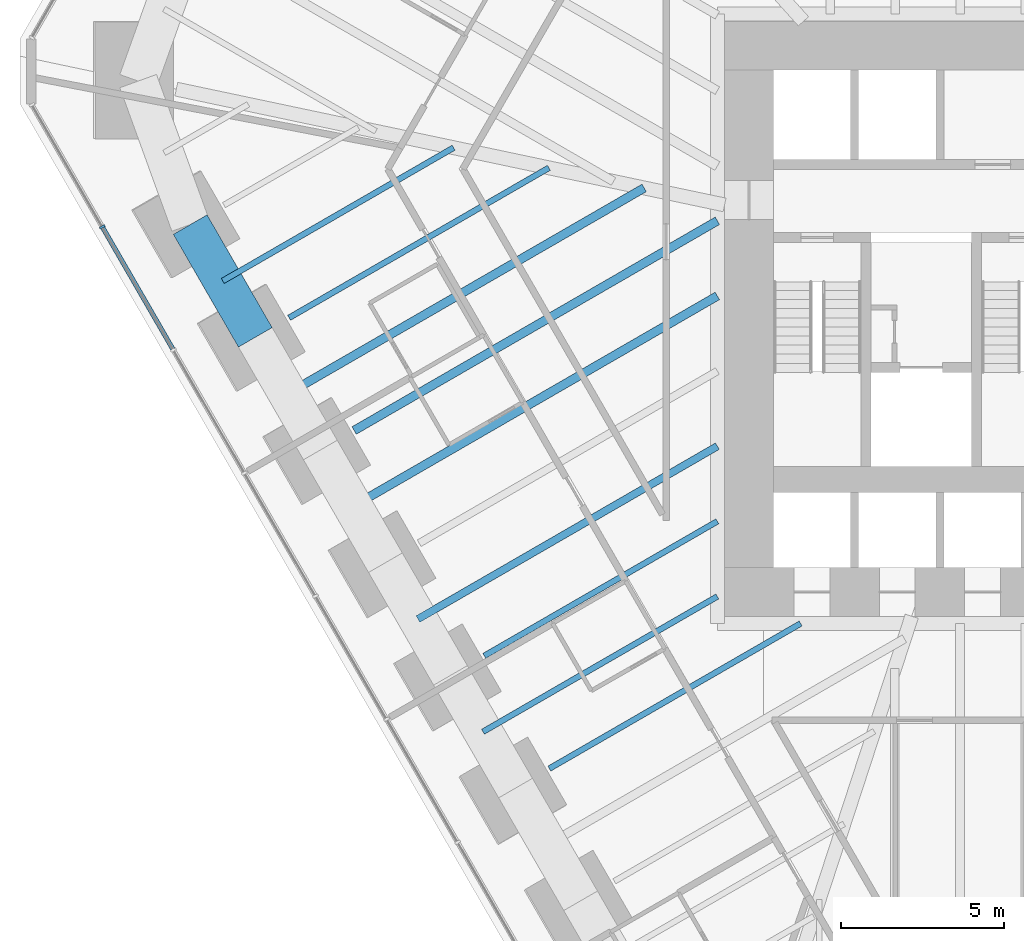
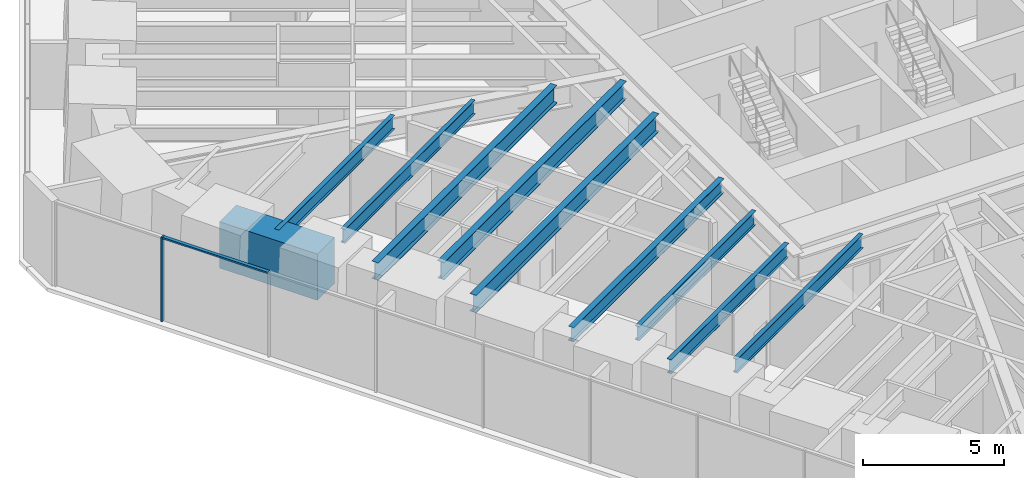
# One storey, part 3 of 17: 10 beams, 2 members, 1 element without a shape of its own.
"""IFC4 building model written with IfcOpenShell, lengths in metres."""

from ifc_helpers import new_model, si_unit, direction, frame, origin, origin_2d, place, context, subcontext, project, spatial, rectangle, i_section, extrude, material, material_profile, profile_set, type_object, element, aggregate, save


model = new_model("IFC4")

# Units and contexts
model_context = context("Model", 3, precision=1e-05, world=origin(), true_north=direction((0.0, 1.0)))
body_context = subcontext(model_context, "Body", "Model", "MODEL_VIEW")
ifc_project = project(units=[si_unit("LENGTHUNIT", "METRE"), si_unit("AREAUNIT", "SQUARE_METRE"), si_unit("VOLUMEUNIT", "CUBIC_METRE"), si_unit("PLANEANGLEUNIT", "RADIAN"), si_unit("MASSUNIT", "GRAM", prefix="KILO")], contexts=[model_context])

# Site, building, storey
site_placement = place(None, origin())
site = spatial("IfcSite", under=ifc_project, at=site_placement, CompositionType="ELEMENT")
building_placement = place(site_placement, origin())
building = spatial("IfcBuilding", under=site, at=building_placement, Name="Sandreach Pilgrim Tower", CompositionType="ELEMENT")
storey_placement = place(building_placement, frame((0.0, 0.0, 83.800048828125)))
storey = spatial("IfcBuildingStorey", under=building, at=storey_placement, Name="L20", CompositionType="ELEMENT", Elevation=83.800048828125)

# Curtain wall, members
ifc_material_1 = material(Name="Aluminium framed curtain wall", Category="aluminium")
curtain_wall_type = type_object("IfcCurtainWallType", Name="Hostel tower curtain wall", PredefinedType="NOTDEFINED", material=ifc_material_1)
curtain_wall_placement = place(storey_placement, origin())
curtain_wall = element("IfcCurtainWall", 1, at=curtain_wall_placement, inside=storey, type_object=curtain_wall_type, Name="CW-1 L20 SW", PredefinedType="NOTDEFINED")
ifc_material_2 = material(Name="Aluminium extrusion", Category="aluminium")
ifc_material_profile_1 = material_profile(ifc_material_2, rectangle(XDim=0.06494140625, YDim=0.179931640625, at=origin_2d()), Name="CW-1M 65X180")
ifc_profile_set_1 = profile_set([ifc_material_profile_1], Name="Aluminium extrusion")
member_type_1 = type_object("IfcMemberType", Name="CW-1 mullion", PredefinedType="MULLION", material=ifc_profile_set_1)
member_1_placement = place(storey_placement, frame((-28.390380859375, 1.2763671875, 0.0), z_axis=(0.0, 0.0, 1.0), x_axis=(-0.5, 0.866025403784, 0.0)))
member_1 = element("IfcMember", 2, at=member_1_placement, type_object=member_type_1, Name="CW-1 mullion 9", PredefinedType="MULLION", context=body_context, shape_type="SweptSolid", body=[
    extrude(rectangle(XDim=0.06494140625, YDim=0.179931640625, at=origin_2d()), origin(), (0.0, 0.0, 1.0), 3.639892578125),
])
ifc_material_3 = material(Name="Aluminium extrusion", Category="aluminium")
ifc_material_profile_2 = material_profile(ifc_material_3, rectangle(XDim=0.139892578125, YDim=0.070068359375, at=origin_2d()), Name="CW-1T 140X70")
ifc_profile_set_2 = profile_set([ifc_material_profile_2], Name="Aluminium extrusion")
member_type_2 = type_object("IfcMemberType", Name="CW-1 transom", PredefinedType="USERDEFINED", material=ifc_profile_set_2)
member_2_placement = place(storey_placement, frame((-26.220947265625, -2.4814453125, 3.60498046875), z_axis=(-0.500016891966, 0.866015650984, 0.0), x_axis=(-0.866015650984, -0.500016891966, 0.0)))
member_2 = element("IfcMember", 3, at=member_2_placement, type_object=member_type_2, Name="CW-1 head transom 8", ObjectType="TRANSOM", PredefinedType="USERDEFINED", context=body_context, shape_type="SweptSolid", body=[
    extrude(rectangle(XDim=0.139892578125, YDim=0.070068359375, at=origin_2d()), origin(), (0.0, 0.0, 1.0), 4.306396484375),
])
aggregate(curtain_wall, [member_1, member_2])

# Beams
ifc_material_4 = material(Name="Steel ASTM A992 Grade 50", Category="steel")
ifc_material_profile_3 = material_profile(ifc_material_4, i_section(OverallWidth=0.1787109375, OverallDepth=0.60205078125, WebThickness=0.010986328125, FlangeThickness=0.014892578125, at=origin_2d()), Name="W24X62")
ifc_profile_set_3 = profile_set([ifc_material_profile_3], Name="Steel ASTM A992 Grade 50")
beam_type_1 = type_object("IfcBeamType", Name="Floor beam W24X62", PredefinedType="BEAM", material=ifc_profile_set_3)
beam_1_placement = place(storey_placement, frame((-14.640380859375, -15.385498046875, 3.3388671875), z_axis=(0.866022991108, 0.500004178855, 0.0), x_axis=(-0.500004178855, 0.866022991108, 0.0)))
element("IfcBeam", 4, at=beam_1_placement, inside=storey, type_object=beam_type_1, Name="BM L20 F29", PredefinedType="BEAM", context=body_context, shape_type="SweptSolid", body=[
    extrude(i_section(OverallWidth=0.1787109375, OverallDepth=0.60205078125, WebThickness=0.010986328125, FlangeThickness=0.014892578125, at=origin_2d()), origin(), (0.0, 0.0, 1.0), 8.9267578125),
])
beam_2_placement = place(storey_placement, frame((-16.641845703125, -11.919189453125, 3.3388671875), z_axis=(0.866013213425, 0.500021113727, 0.0), x_axis=(-0.500021113727, 0.866013213425, 0.0)))
element("IfcBeam", 5, at=beam_2_placement, inside=storey, type_object=beam_type_1, Name="BM L20 F30", PredefinedType="BEAM", context=body_context, shape_type="SweptSolid", body=[
    extrude(i_section(OverallWidth=0.1787109375, OverallDepth=0.60205078125, WebThickness=0.010986328125, FlangeThickness=0.014892578125, at=origin_2d()), origin(), (0.0, 0.0, 1.0), 8.279052734375),
])
beam_3_placement = place(storey_placement, frame((-22.645751953125, -1.519775390625, 3.3388671875), z_axis=(0.866030059181, 0.499991936529, 0.0), x_axis=(-0.499991936529, 0.866030059181, 0.0)))
element("IfcBeam", 6, at=beam_3_placement, inside=storey, type_object=beam_type_1, Name="BM L20 F33", PredefinedType="BEAM", context=body_context, shape_type="SweptSolid", body=[
    extrude(i_section(OverallWidth=0.1787109375, OverallDepth=0.60205078125, WebThickness=0.010986328125, FlangeThickness=0.014892578125, at=origin_2d()), origin(), (0.0, 0.0, 1.0), 9.227783203125),
])
beam_4_placement = place(storey_placement, frame((-16.680419921875, -14.252197265625, 3.3388671875), z_axis=(0.866028791134, 0.499994132893, 0.0), x_axis=(-0.499994132893, 0.866028791134, 0.0)))
element("IfcBeam", 7, at=beam_4_placement, inside=storey, type_object=beam_type_1, Name="BM L20 FM29", PredefinedType="BEAM", context=body_context, shape_type="SweptSolid", body=[
    extrude(i_section(OverallWidth=0.1787109375, OverallDepth=0.60205078125, WebThickness=0.010986328125, FlangeThickness=0.014892578125, at=origin_2d()), origin(), (0.0, 0.0, 1.0), 8.3232421875),
])
beam_5_placement = place(storey_placement, frame((-24.685791015625, -0.38671875, 3.3388671875), z_axis=(0.866020958405, 0.500007699544, 0.0), x_axis=(-0.500007699544, 0.866020958405, 0.0)))
element("IfcBeam", 8, at=beam_5_placement, inside=storey, type_object=beam_type_1, Name="BM L20 FM33", PredefinedType="BEAM", context=body_context, shape_type="SweptSolid", body=[
    extrude(i_section(OverallWidth=0.1787109375, OverallDepth=0.60205078125, WebThickness=0.010986328125, FlangeThickness=0.014892578125, at=origin_2d()), origin(), (0.0, 0.0, 1.0), 8.198974609375),
])
ifc_material_5 = material(Name="Steel ASTM A992 Grade 50", Category="steel")
ifc_material_profile_4 = material_profile(ifc_material_5, i_section(OverallWidth=0.23046875, OverallDepth=0.6171875, WebThickness=0.01318359375, FlangeThickness=0.022216796875, at=origin_2d()), Name="W24X94")
ifc_profile_set_4 = profile_set([ifc_material_profile_4], Name="Steel ASTM A992 Grade 50")
beam_type_2 = type_object("IfcBeamType", Name="Floor beam W24X94", PredefinedType="BEAM", material=ifc_profile_set_4)
beam_6_placement = place(storey_placement, frame((-18.681640625, -10.785888671875, 3.331298828125), z_axis=(0.866023483693, 0.500003325681, 0.0), x_axis=(-0.500003325681, 0.866023483693, 0.0)))
element("IfcBeam", 9, at=beam_6_placement, inside=storey, type_object=beam_type_2, Name="BM L20 FM30", PredefinedType="BEAM", context=body_context, shape_type="SweptSolid", body=[
    extrude(i_section(OverallWidth=0.23046875, OverallDepth=0.6171875, WebThickness=0.01318359375, FlangeThickness=0.022216796875, at=origin_2d()), origin(), (0.0, 0.0, 1.0), 10.63427734375),
])
ifc_material_6 = material(Name="Steel ASTM A992 Grade 50", Category="steel")
ifc_material_profile_5 = material_profile(ifc_material_6, i_section(OverallWidth=0.2666015625, OverallDepth=0.761962890625, WebThickness=0.014404296875, FlangeThickness=0.021484375, at=origin_2d()), Name="W30X116")
ifc_profile_set_5 = profile_set([ifc_material_profile_5], Name="Steel ASTM A992 Grade 50")
beam_type_3 = type_object("IfcBeamType", Name="Floor beam W30X116", PredefinedType="BEAM", material=ifc_profile_set_5)
beam_7_placement = place(storey_placement, frame((-20.64453125, -4.986328125, 3.259033203125), z_axis=(0.866022970146, 0.500004215162, 0.0), x_axis=(-0.500004215162, 0.866022970146, 0.0)))
element("IfcBeam", 10, at=beam_7_placement, inside=storey, type_object=beam_type_3, Name="BM L20 F32", PredefinedType="BEAM", context=body_context, shape_type="SweptSolid", body=[
    extrude(i_section(OverallWidth=0.2666015625, OverallDepth=0.761962890625, WebThickness=0.014404296875, FlangeThickness=0.021484375, at=origin_2d()), origin(), (0.0, 0.0, 1.0), 12.90087890625),
])
beam_8_placement = place(storey_placement, frame((-20.68310546875, -7.319580078125, 3.259033203125), z_axis=(0.866024786089, 0.500001069878, 0.0), x_axis=(-0.500001069878, 0.866024786089, 0.0)))
element("IfcBeam", 11, at=beam_8_placement, inside=storey, type_object=beam_type_3, Name="BM L20 FM31", PredefinedType="BEAM", context=body_context, shape_type="SweptSolid", body=[
    extrude(i_section(OverallWidth=0.2666015625, OverallDepth=0.761962890625, WebThickness=0.014404296875, FlangeThickness=0.021484375, at=origin_2d()), origin(), (0.0, 0.0, 1.0), 12.9453125),
])
beam_9_placement = place(storey_placement, frame((-22.684326171875, -3.85302734375, 3.259033203125), z_axis=(0.866031398331, 0.499989616998, 0.0), x_axis=(-0.499989616998, 0.866031398331, 0.0)))
element("IfcBeam", 12, at=beam_9_placement, inside=storey, type_object=beam_type_3, Name="BM L20 FM32", PredefinedType="BEAM", context=body_context, shape_type="SweptSolid", body=[
    extrude(i_section(OverallWidth=0.2666015625, OverallDepth=0.761962890625, WebThickness=0.014404296875, FlangeThickness=0.021484375, at=origin_2d()), origin(), (0.0, 0.0, 1.0), 12.656494140625),
])
ifc_material_7 = material(Name="Concrete 10000 psi", Category="concrete")
ifc_material_profile_6 = material_profile(ifc_material_7, rectangle(XDim=1.199951171875, YDim=2.0, at=origin_2d()), Name="RC1200X2000")
ifc_profile_set_6 = profile_set([ifc_material_profile_6], Name="Concrete 10000 psi")
beam_type_4 = type_object("IfcBeamType", Name="Spandrel beam RC1200X2000", PredefinedType="SPANDREL", material=ifc_profile_set_6)
beam_10_placement = place(storey_placement, frame((-23.68505859375, -2.119873046875, 2.639892578125), z_axis=(-0.500009310088, 0.866020028536, 0.0), x_axis=(-0.866020028536, -0.500009310088, 0.0)))
element("IfcBeam", 13, at=beam_10_placement, inside=storey, type_object=beam_type_4, Name="BM L20 SP33", PredefinedType="SPANDREL", context=body_context, shape_type="SweptSolid", body=[
    extrude(rectangle(XDim=1.199951171875, YDim=2.0, at=origin_2d()), origin(), (0.0, 0.0, 1.0), 4.0029296875),
])

save(model, "model.ifc")
